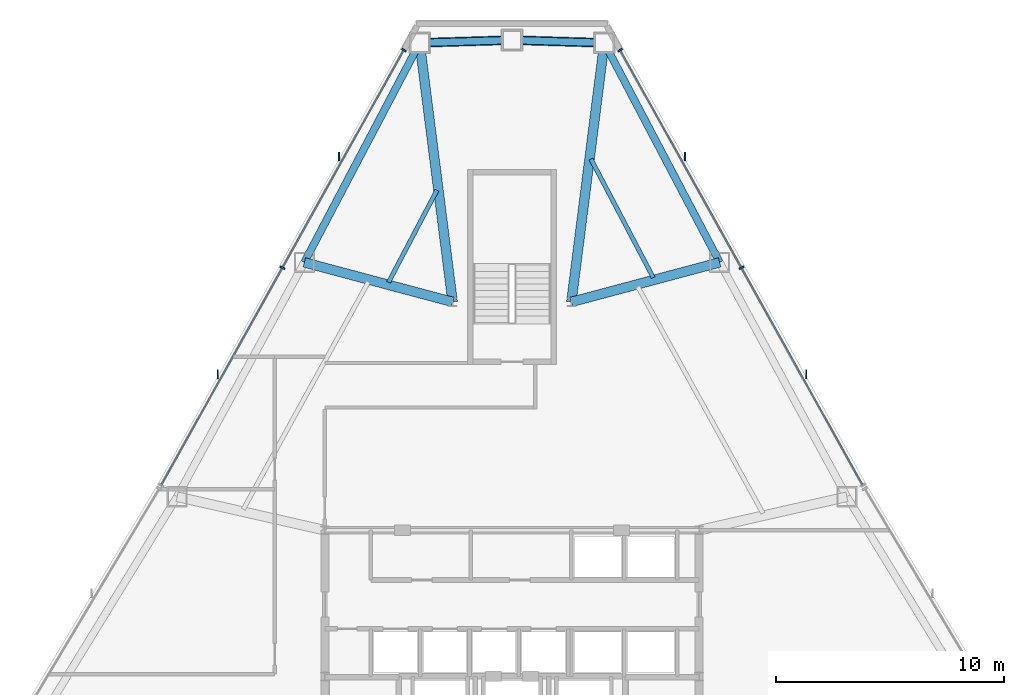
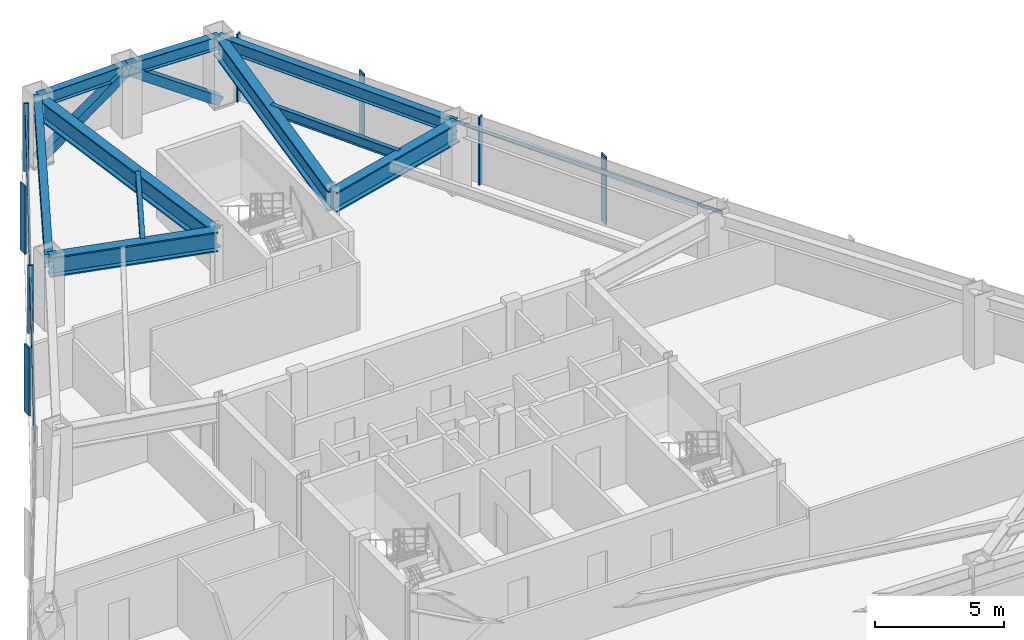
# One storey, part 7 of 11: 12 members, 10 beams, 2 elements without a shape of their own.
"""IFC4 building model written with IfcOpenShell, lengths in metres."""

from ifc_helpers import new_model, si_unit, direction, frame, origin, origin_2d, place, context, subcontext, project, spatial, rectangle, hollow_rectangle, i_section, extrude, source, transform, mapped, material, layer, layer_set, material_profile, profile_set, type_object, type_shapes, element, aggregate, save


model = new_model("IFC4")

# Units and contexts
model_context = context("Model", 3, precision=1e-05, world=origin(), true_north=direction((0.0, 1.0)))
body_context = subcontext(model_context, "Body", "Model", "MODEL_VIEW")
ifc_project = project(units=[si_unit("LENGTHUNIT", "METRE"), si_unit("AREAUNIT", "SQUARE_METRE"), si_unit("VOLUMEUNIT", "CUBIC_METRE"), si_unit("PLANEANGLEUNIT", "RADIAN"), si_unit("MASSUNIT", "GRAM", prefix="KILO")], contexts=[model_context])

# Site, building, storey
site_placement = place(None, origin())
site = spatial("IfcSite", under=ifc_project, at=site_placement, CompositionType="ELEMENT")
building_placement = place(site_placement, origin())
building = spatial("IfcBuilding", under=site, at=building_placement, Name="Varakhsha Concourse Tower", CompositionType="ELEMENT")
storey_placement = place(building_placement, frame((0.0, 0.0, 140.14990234375)))
storey = spatial("IfcBuildingStorey", under=building, at=storey_placement, Name="L40", CompositionType="ELEMENT", Elevation=140.14990234375)

# Beams
ifc_material_1 = material(Name="Structural Steel ASTM A992 Grade 50", Category="steel")
ifc_material_profile_1 = material_profile(ifc_material_1, i_section(OverallWidth=0.19091796875, OverallDepth=0.45703125, WebThickness=0.009033203125, FlangeThickness=0.013916015625, at=origin_2d()), Name="W18X50")
ifc_profile_set_1 = profile_set([ifc_material_profile_1], Name="Structural Steel ASTM A992 Grade 50")
beam_type_1 = type_object("IfcBeamType", Name="BM-JST-W18X50", PredefinedType="JOIST", material=ifc_profile_set_1)
beam_1_placement = place(storey_placement, frame((36.714111328125, 46.095947265625, 2.981689453125), z_axis=(-0.465285106883, -0.885160871996, 0.0), x_axis=(0.885160871996, -0.465285106883, 0.0)))
element("IfcBeam", 1, at=beam_1_placement, inside=storey, type_object=beam_type_1, Name="BM-TJST-L40-03", PredefinedType="JOIST", context=body_context, shape_type="SweptSolid", body=[
    extrude(i_section(OverallWidth=0.19091796875, OverallDepth=0.45703125, WebThickness=0.009033203125, FlangeThickness=0.013916015625, at=origin_2d()), origin(), (0.0, 0.0, 1.0), 4.559326171875),
])
beam_2_placement = place(storey_placement, frame((46.186767578125, 42.268310546875, 2.981689453125), z_axis=(-0.465277815466, 0.885164704694, 0.0), x_axis=(-0.885164704694, -0.465277815466, 0.0)))
element("IfcBeam", 2, at=beam_2_placement, inside=storey, type_object=beam_type_1, Name="BM-TJST-L40-18", PredefinedType="JOIST", context=body_context, shape_type="SweptSolid", body=[
    extrude(i_section(OverallWidth=0.19091796875, OverallDepth=0.45703125, WebThickness=0.009033203125, FlangeThickness=0.013916015625, at=origin_2d()), origin(), (0.0, 0.0, 1.0), 5.86279296875),
])
ifc_material_profile_2 = material_profile(ifc_material_1, i_section(OverallWidth=0.423095703125, OverallDepth=0.947998046875, WebThickness=0.0380859375, FlangeThickness=0.06396484375, at=origin_2d()), Name="W36X302")
ifc_profile_set_2 = profile_set([ifc_material_profile_2], Name="Structural Steel ASTM A992 Grade 50")
beam_type_2 = type_object("IfcBeamType", Name="BM-OUTR-W36X302", PredefinedType="USERDEFINED", material=ifc_profile_set_2)
for number, where, z_axis, x_axis, name in (
    (3, (42.60009765625, 41.199951171875, 2.736083984375), (0.126106887287, 0.992016659628, 0.0), (-0.992016659628, 0.126106887287, 0.0), "L40 Radial Floor Girder 01"),
    (4, (37.39990234375, 41.199951171875, 2.736083984375), (-0.126106887287, 0.992016659628, 0.0), (-0.992016659628, -0.126106887287, 0.0), "L40 Radial Floor Girder 03"),
):
    element("IfcBeam", number, at=place(storey_placement, frame(where, z_axis=z_axis, x_axis=x_axis)), inside=storey, type_object=beam_type_2, Name=name, ObjectType="GIRDER", PredefinedType="USERDEFINED", context=body_context, shape_type="SweptSolid", body=[
        extrude(i_section(OverallWidth=0.423095703125, OverallDepth=0.947998046875, WebThickness=0.0380859375, FlangeThickness=0.06396484375, at=origin_2d()), origin(), (0.0, 0.0, 1.0), 11.439697265625),
    ])
for number, where, z_axis, x_axis, name in (
    (5, (37.39990234375, 41.199951171875, 2.736083984375), (-0.966175851561, 0.25788412875, 0.0), (-0.25788412875, -0.966175851561, 0.0), "L40 Radial Floor Girder 04"),
    (6, (42.60009765625, 41.199951171875, 2.736083984375), (0.966175851561, 0.25788412875, 0.0), (-0.25788412875, 0.966175851561, 0.0), "L40 Radial Floor Girder 18"),
):
    element("IfcBeam", number, at=place(storey_placement, frame(where, z_axis=z_axis, x_axis=x_axis)), inside=storey, type_object=beam_type_2, Name=name, ObjectType="GIRDER", PredefinedType="USERDEFINED", context=body_context, shape_type="SweptSolid", body=[
        extrude(i_section(OverallWidth=0.423095703125, OverallDepth=0.947998046875, WebThickness=0.0380859375, FlangeThickness=0.06396484375, at=origin_2d()), origin(), (0.0, 0.0, 1.0), 6.7236328125),
    ])
ifc_material_profile_3 = material_profile(ifc_material_1, i_section(OverallWidth=0.323974609375, OverallDepth=0.611083984375, WebThickness=0.012939453125, FlangeThickness=0.01904296875, at=origin_2d()), Name="W24X104")
ifc_profile_set_3 = profile_set([ifc_material_profile_3], Name="Structural Steel ASTM A992 Grade 50")
beam_type_3 = type_object("IfcBeamType", Name="BM-SPAN-W24X104", PredefinedType="SPANDREL", material=ifc_profile_set_3)
for number, where, z_axis, x_axis, name in (
    (7, (44.042724609375, 52.54833984375, 2.904541015625), (-0.99954625984, 0.030120996658, 0.0), (-0.030120996658, -0.99954625984, 0.0), "BM-SPAN-L40-01"),
    (8, (40.0, 52.670166015625, 2.904541015625), (-0.99954625984, -0.030120996658, 0.0), (0.030120996658, -0.99954625984, 0.0), "BM-SPAN-L40-02"),
):
    element("IfcBeam", number, at=place(storey_placement, frame(where, z_axis=z_axis, x_axis=x_axis)), inside=storey, type_object=beam_type_3, Name=name, PredefinedType="SPANDREL", context=body_context, shape_type="SweptSolid", body=[
        extrude(i_section(OverallWidth=0.323974609375, OverallDepth=0.611083984375, WebThickness=0.012939453125, FlangeThickness=0.01904296875, at=origin_2d()), origin(), (0.0, 0.0, 1.0), 4.044677734375),
    ])
for number, where, z_axis, x_axis, name in (
    (9, (35.957275390625, 52.54833984375, 2.904541015625), (-0.465256299169, -0.885176014182, 0.0), (0.885176014182, -0.465256299169, 0.0), "BM-SPAN-L40-03"),
    (10, (49.09619140625, 42.933837890625, 2.904541015625), (-0.465256299169, 0.885176014182, 0.0), (-0.885176014182, -0.465256299169, 0.0), "BM-SPAN-L40-18"),
):
    element("IfcBeam", number, at=place(storey_placement, frame(where, z_axis=z_axis, x_axis=x_axis)), inside=storey, type_object=beam_type_3, Name=name, PredefinedType="SPANDREL", context=body_context, shape_type="SweptSolid", body=[
        extrude(i_section(OverallWidth=0.323974609375, OverallDepth=0.611083984375, WebThickness=0.012939453125, FlangeThickness=0.01904296875, at=origin_2d()), origin(), (0.0, 0.0, 1.0), 10.861572265625),
    ])

# Members
ifc_material_2 = material(Name="Structural Steel ASTM A500 Grade C", Category="steel")
ifc_material_profile_4 = material_profile(ifc_material_2, hollow_rectangle(XDim=0.39990234375, YDim=0.39990234375, WallThickness=0.01611328125, at=origin_2d()), Name="HSS 400x400x16")
ifc_profile_set_4 = profile_set([ifc_material_profile_4], Name="Structural Steel ASTM A500 Grade C")
member_type_1 = type_object("IfcMemberType", Name="MB-TUBE-HSS400", PredefinedType="BRACE", material=ifc_profile_set_4)
shared_shape_1 = source(origin(), body_context, "Body", "SweptSolid", [
    extrude(hollow_rectangle(XDim=0.39990234375, YDim=0.39990234375, WallThickness=0.01611328125, at=origin_2d()), origin(), (0.0, 0.0, 1.0), 4.91357421875),
])
type_shapes(member_type_1, [shared_shape_1])
for number, where, z_axis, x_axis, name in (
    (11, (44.042724609375, 52.54833984375, 0.1201171875), (-0.822773893331, 0.024794019734, 0.567827770577), (-0.030120996658, -0.99954625984, 0.0), "L40 Wind-Corner Tube Brace B01"),
    (12, (35.957275390625, 52.54833984375, 0.1201171875), (0.822773893331, 0.024794019734, 0.567827770577), (-0.030120996658, 0.99954625984, 0.0), "L40 Wind-Corner Tube Brace B02"),
):
    element("IfcMember", number, at=place(storey_placement, frame(where, z_axis=z_axis, x_axis=x_axis)), inside=storey, type_object=member_type_1, Name=name, PredefinedType="BRACE", context=body_context, shape_type="MappedRepresentation", body=[
        mapped(shared_shape_1, transform((0.0, 0.0, 0.0), scale=1.0)),
    ])

# Curtain wall, members
ifc_material_3 = material(Name="Anodised Bronze Architectural Aluminium AA 6063-T6", Category="aluminium")
ifc_layer = layer(ifc_material_3, 0.2099609375, Name="CW-SYS-04")
ifc_layer_set = layer_set([ifc_layer], Name="Anodised Bronze Architectural Aluminium AA 6063-T6")
curtain_wall_type = type_object("IfcCurtainWallType", Name="CW-SYS-04", PredefinedType="NOTDEFINED", material=ifc_layer_set)
curtain_wall_1_placement = place(storey_placement, origin())
curtain_wall_1 = element("IfcCurtainWall", 13, at=curtain_wall_1_placement, inside=storey, type_object=curtain_wall_type, Name="L40 Crystal Curtain Wall F2", PredefinedType="NOTDEFINED")
ifc_material_profile_5 = material_profile(ifc_material_3, rectangle(XDim=0.074951171875, YDim=0.219970703125, at=origin_2d()), Name="CWM-220X75")
ifc_profile_set_5 = profile_set([ifc_material_profile_5], Name="Anodised Bronze Architectural Aluminium AA 6063-T6")
member_type_2 = type_object("IfcMemberType", Name="CWM-220X75", PredefinedType="MULLION", material=ifc_profile_set_5)
shared_shape_2 = source(origin(), body_context, "Body", "SweptSolid", [
    extrude(rectangle(XDim=0.074951171875, YDim=0.219970703125, at=origin_2d()), origin(), (0.0, 0.0, 1.0), 3.210205078125),
])
type_shapes(member_type_2, [shared_shape_2])
member_1_placement = place(storey_placement, frame((29.94873046875, 42.69921875, 0.0), z_axis=(0.0, 0.0, 1.0), x_axis=(0.48689953646, 0.873457979181, 0.0)))
member_1 = element("IfcMember", 14, at=member_1_placement, type_object=member_type_2, Name="CW-L40-F2 Mullion 01", PredefinedType="MULLION", context=body_context, shape_type="MappedRepresentation", body=[
    mapped(shared_shape_2, transform((0.0, 0.0, 0.0), scale=1.0)),
])
member_2_placement = place(storey_placement, frame((35.2626953125, 52.23193359375, 0.0), z_axis=(0.0, 0.0, 1.0), x_axis=(0.48689953646, 0.873457979181, 0.0)))
member_2 = element("IfcMember", 15, at=member_2_placement, type_object=member_type_2, Name="CW-L40-F2 Mullion 02", PredefinedType="MULLION", context=body_context, shape_type="MappedRepresentation", body=[
    mapped(shared_shape_2, transform((0.0, 0.0, 0.0), scale=1.0)),
])

curtain_wall_2_placement = place(storey_placement, origin())
curtain_wall_2 = element("IfcCurtainWall", 16, at=curtain_wall_2_placement, inside=storey, type_object=curtain_wall_type, Name="L40 Crystal Curtain Wall F9", PredefinedType="NOTDEFINED")
member_3_placement = place(storey_placement, frame((44.7373046875, 52.23193359375, 0.0), z_axis=(0.0, 0.0, 1.0), x_axis=(0.48689953646, -0.873457979181, 0.0)))
member_3 = element("IfcMember", 17, at=member_3_placement, type_object=member_type_2, Name="CW-L40-F9 Mullion 00", PredefinedType="MULLION", context=body_context, shape_type="MappedRepresentation", body=[
    mapped(shared_shape_2, transform((0.0, 0.0, 0.0), scale=1.0)),
])
member_4_placement = place(storey_placement, frame((50.051513671875, 42.69921875, 0.0), z_axis=(0.0, 0.0, 1.0), x_axis=(0.48689953646, -0.873457979181, 0.0)))
member_4 = element("IfcMember", 18, at=member_4_placement, type_object=member_type_2, Name="CW-L40-F9 Mullion 01", PredefinedType="MULLION", context=body_context, shape_type="MappedRepresentation", body=[
    mapped(shared_shape_2, transform((0.0, 0.0, 0.0), scale=1.0)),
])

# Member
ifc_material_profile_6 = material_profile(ifc_material_3, rectangle(XDim=0.06494140625, YDim=0.159912109375, at=origin_2d()), Name="CWT-160X65")
ifc_profile_set_6 = profile_set([ifc_material_profile_6], Name="Anodised Bronze Architectural Aluminium AA 6063-T6")
member_type_3 = type_object("IfcMemberType", Name="CWT-160X65", PredefinedType="USERDEFINED", material=ifc_profile_set_6)
shared_shape_3 = source(origin(), body_context, "Body", "SweptSolid", [
    extrude(rectangle(XDim=0.06494140625, YDim=0.159912109375, at=origin_2d()), origin(), (0.0, 0.0, 1.0), 21.827880859375),
])
type_shapes(member_type_3, [shared_shape_3])
member_5_placement = place(storey_placement, frame((24.634765625, 33.166259765625, 2.56005859375), z_axis=(0.486898825719, 0.873458375376, 0.0), x_axis=(-0.873458375376, 0.486898825719, 0.0)))
member_5 = element("IfcMember", 19, at=member_5_placement, type_object=member_type_3, Name="CW-L40-F2 Transom 01", ObjectType="TRANSOM", PredefinedType="USERDEFINED", context=body_context, shape_type="MappedRepresentation", body=[
    mapped(shared_shape_3, transform((0.0, 0.0, 0.0), scale=1.0)),
])

member_6_placement = place(storey_placement, frame((44.7373046875, 52.23193359375, 2.56005859375), z_axis=(0.486898825719, -0.873458375376, 0.0), x_axis=(0.873458375376, 0.486898825719, 0.0)))
member_6 = element("IfcMember", 20, at=member_6_placement, type_object=member_type_3, Name="CW-L40-F9 Transom 01", ObjectType="TRANSOM", PredefinedType="USERDEFINED", context=body_context, shape_type="MappedRepresentation", body=[
    mapped(shared_shape_3, transform((0.0, 0.0, 0.0), scale=1.0)),
])

ifc_material_profile_7 = material_profile(ifc_material_3, rectangle(XDim=0.06005859375, YDim=0.3798828125, at=origin_2d()), Name="FIN-BRZ-380")
ifc_profile_set_7 = profile_set([ifc_material_profile_7], Name="Anodised Bronze Architectural Aluminium AA 6063-T6")
member_type_4 = type_object("IfcMemberType", Name="FIN-BRZ-380", PredefinedType="USERDEFINED", material=ifc_profile_set_7)
shared_shape_4 = source(origin(), body_context, "Body", "SweptSolid", [
    extrude(rectangle(XDim=0.06005859375, YDim=0.3798828125, at=origin_2d()), origin(), (0.0, 0.0, 1.0), 3.210205078125),
])
type_shapes(member_type_4, [shared_shape_4])
member_7_placement = place(storey_placement, frame((27.112548828125, 38.032470703125, 0.0), z_axis=(0.0, 0.0, 1.0), x_axis=(1.0, 0.0, 0.0)))
member_7 = element("IfcMember", 21, at=member_7_placement, type_object=member_type_4, Name="L40 Anodised Bronze Solar Fin F2-1", ObjectType="SOLAR FIN", PredefinedType="USERDEFINED", context=body_context, shape_type="MappedRepresentation", body=[
    mapped(shared_shape_4, transform((0.0, 0.0, 0.0), scale=1.0)),
])

member_8_placement = place(storey_placement, frame((32.426513671875, 47.565185546875, 0.0), z_axis=(0.0, 0.0, 1.0), x_axis=(1.0, 0.0, 0.0)))
member_8 = element("IfcMember", 22, at=member_8_placement, type_object=member_type_4, Name="L40 Anodised Bronze Solar Fin F2-2", ObjectType="SOLAR FIN", PredefinedType="USERDEFINED", context=body_context, shape_type="MappedRepresentation", body=[
    mapped(shared_shape_4, transform((0.0, 0.0, 0.0), scale=1.0)),
])

aggregate(curtain_wall_1, [member_1, member_2, member_5, member_7, member_8])

member_9_placement = place(storey_placement, frame((47.573486328125, 47.565185546875, 0.0), z_axis=(0.0, 0.0, 1.0), x_axis=(1.0, 0.0, 0.0)))
member_9 = element("IfcMember", 23, at=member_9_placement, type_object=member_type_4, Name="L40 Anodised Bronze Solar Fin F9-1", ObjectType="SOLAR FIN", PredefinedType="USERDEFINED", context=body_context, shape_type="MappedRepresentation", body=[
    mapped(shared_shape_4, transform((0.0, 0.0, 0.0), scale=1.0)),
])

member_10_placement = place(storey_placement, frame((52.887451171875, 38.032470703125, 0.0), z_axis=(0.0, 0.0, 1.0), x_axis=(1.0, 0.0, 0.0)))
member_10 = element("IfcMember", 24, at=member_10_placement, type_object=member_type_4, Name="L40 Anodised Bronze Solar Fin F9-2", ObjectType="SOLAR FIN", PredefinedType="USERDEFINED", context=body_context, shape_type="MappedRepresentation", body=[
    mapped(shared_shape_4, transform((0.0, 0.0, 0.0), scale=1.0)),
])

aggregate(curtain_wall_2, [member_3, member_4, member_6, member_9, member_10])

save(model, "model.ifc")
